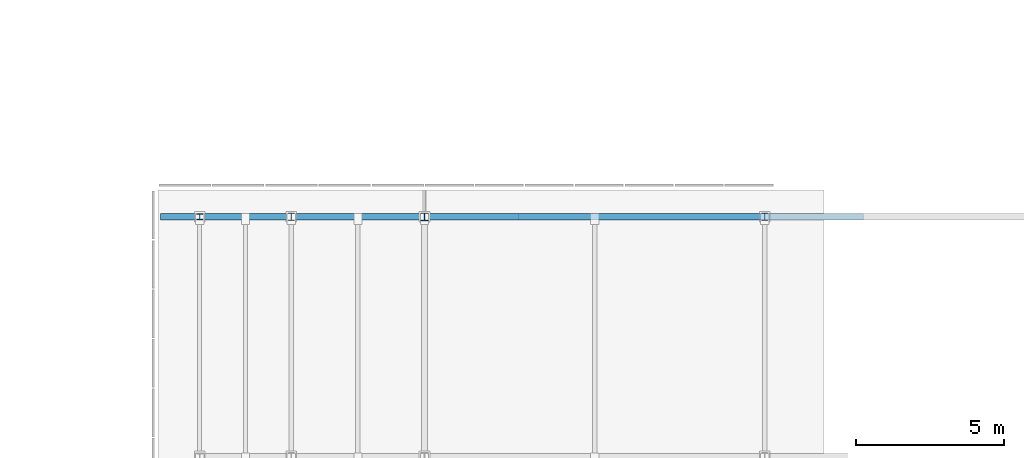
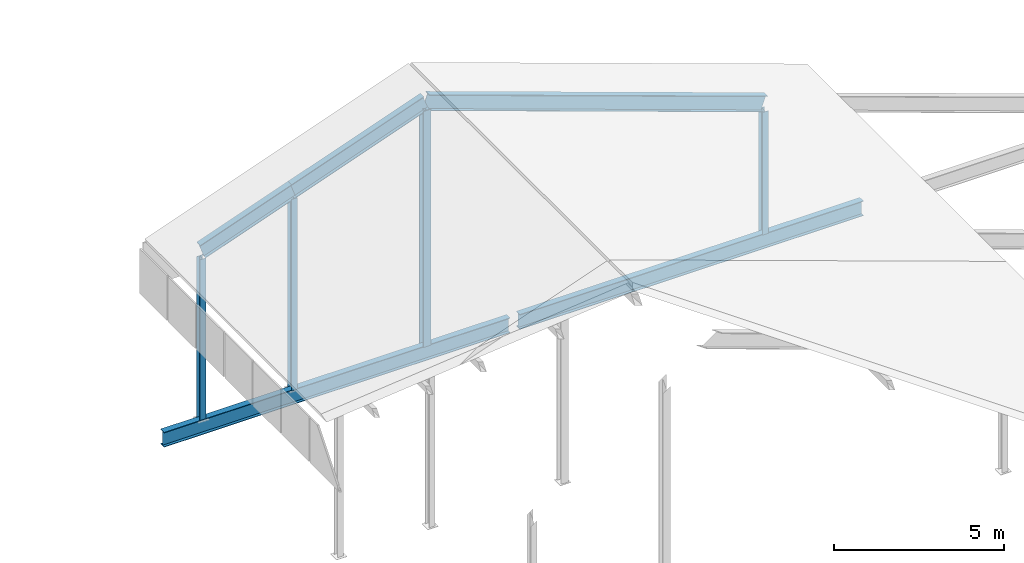
# One storey, part 26 of 42: 5 beams, 4 members.
"""IFC4 building model written with IfcOpenShell, lengths in metres."""

from ifc_helpers import new_model, si_unit, direction, frame, origin, origin_2d, place, context, subcontext, project, spatial, i_section, extrude, material, material_profile, profile_set, type_object, element, save


model = new_model("IFC4")

# Units and contexts
model_context = context("Model", 3, precision=1e-05, world=origin(), true_north=direction((0.0, 1.0)))
body_context = subcontext(model_context, "Body", "Model", "MODEL_VIEW")
ifc_project = project(units=[si_unit("LENGTHUNIT", "METRE"), si_unit("AREAUNIT", "SQUARE_METRE"), si_unit("VOLUMEUNIT", "CUBIC_METRE"), si_unit("PLANEANGLEUNIT", "RADIAN"), si_unit("MASSUNIT", "GRAM", prefix="KILO")], contexts=[model_context])

# Site, building, storey
site_placement = place(None, origin())
site = spatial("IfcSite", under=ifc_project, at=site_placement, CompositionType="ELEMENT")
building_placement = place(site_placement, origin())
building = spatial("IfcBuilding", under=site, at=building_placement, Name="Kelmvaro Bay Concert Hall", CompositionType="ELEMENT")
storey_placement = place(building_placement, frame((0.0, 0.0, 26.699951171875)))
storey = spatial("IfcBuildingStorey", under=building, at=storey_placement, Name="RF", CompositionType="ELEMENT", Elevation=26.699951171875)

# Members
ifc_material_1 = material(Name="Steel ASTM A992 Grade 50", Category="steel")
ifc_material_profile_1 = material_profile(ifc_material_1, i_section(OverallWidth=0.25390625, OverallDepth=0.25390625, WebThickness=0.008544921875, FlangeThickness=0.01416015625, at=origin_2d()), Name="W10X49")
ifc_profile_set_1 = profile_set([ifc_material_profile_1], Name="Steel ASTM A992 Grade 50")
member_type_1 = type_object("IfcMemberType", Name="Crystal Crown King Post W10x49", PredefinedType="STRUT", material=ifc_profile_set_1)
member_1_placement = place(storey_placement, frame((141.0, 38.10009765625, -4.514892578125), z_axis=(0.0, 0.0, 1.0), x_axis=(1.0, 0.0, 0.0)))
element("IfcMember", 1, at=member_1_placement, inside=storey, type_object=member_type_1, Name="V4 Crystal Roof Post 063", PredefinedType="STRUT", context=body_context, shape_type="SweptSolid", body=[
    extrude(i_section(OverallWidth=0.25390625, OverallDepth=0.25390625, WebThickness=0.008544921875, FlangeThickness=0.01416015625, at=origin_2d()), origin(), (0.0, 0.0, 1.0), 8.474365234375),
])
ifc_material_2 = material(Name="Steel ASTM A992 Grade 50", Category="steel")
ifc_material_profile_2 = material_profile(ifc_material_2, i_section(OverallWidth=0.201904296875, OverallDepth=0.2470703125, WebThickness=0.00732421875, FlangeThickness=0.010986328125, at=origin_2d()), Name="W10X33")
ifc_profile_set_2 = profile_set([ifc_material_profile_2], Name="Steel ASTM A992 Grade 50")
member_type_2 = type_object("IfcMemberType", Name="Crystal Crown Queen Post W10x33", PredefinedType="STRUT", material=ifc_profile_set_2)
member_2_placement = place(storey_placement, frame((136.5, 38.10009765625, -4.514892578125), z_axis=(0.0, 0.0, 1.0), x_axis=(1.0, 0.0, 0.0)))
element("IfcMember", 2, at=member_2_placement, inside=storey, type_object=member_type_2, Name="V4 Crystal Roof Post 062", PredefinedType="STRUT", context=body_context, shape_type="SweptSolid", body=[
    extrude(i_section(OverallWidth=0.201904296875, OverallDepth=0.2470703125, WebThickness=0.00732421875, FlangeThickness=0.010986328125, at=origin_2d()), origin(), (0.0, 0.0, 1.0), 6.880859375),
])
member_3_placement = place(storey_placement, frame((152.5, 38.10009765625, -4.514892578125), z_axis=(0.0, 0.0, 1.0), x_axis=(1.0, 0.0, 0.0)))
element("IfcMember", 3, at=member_3_placement, inside=storey, type_object=member_type_2, Name="V4 Crystal Roof Post 064", PredefinedType="STRUT", context=body_context, shape_type="SweptSolid", body=[
    extrude(i_section(OverallWidth=0.201904296875, OverallDepth=0.2470703125, WebThickness=0.00732421875, FlangeThickness=0.010986328125, at=origin_2d()), origin(), (0.0, 0.0, 1.0), 4.402099609375),
])
ifc_material_3 = material(Name="Steel ASTM A992 Grade 50", Category="steel")
ifc_material_profile_3 = material_profile(ifc_material_3, i_section(OverallWidth=0.2041015625, OverallDepth=0.2060546875, WebThickness=0.0078125, FlangeThickness=0.0126953125, at=origin_2d()), Name="W8X35")
ifc_profile_set_3 = profile_set([ifc_material_profile_3], Name="Steel ASTM A992 Grade 50")
member_type_3 = type_object("IfcMemberType", Name="Crystal Eave Tie Strut W8x35", PredefinedType="STRUT", material=ifc_profile_set_3)
member_4_placement = place(storey_placement, frame((133.39990234375, 38.10009765625, -4.514892578125), z_axis=(0.0, 0.0, 1.0), x_axis=(1.0, 0.0, 0.0)))
element("IfcMember", 4, at=member_4_placement, inside=storey, type_object=member_type_3, Name="V4 Crystal Roof Post 061", PredefinedType="STRUT", context=body_context, shape_type="SweptSolid", body=[
    extrude(i_section(OverallWidth=0.2041015625, OverallDepth=0.2060546875, WebThickness=0.0078125, FlangeThickness=0.0126953125, at=origin_2d()), origin(), (0.0, 0.0, 1.0), 5.782958984375),
])

# Beams
ifc_material_4 = material(Name="Steel ASTM A992 Grade 50", Category="steel")
ifc_material_profile_4 = material_profile(ifc_material_4, i_section(OverallWidth=0.2119140625, OverallDepth=0.5439453125, WebThickness=0.01318359375, FlangeThickness=0.021240234375, at=origin_2d()), Name="W21X83")
ifc_profile_set_4 = profile_set([ifc_material_profile_4], Name="Steel ASTM A992 Grade 50")
beam_type_1 = type_object("IfcBeamType", Name="Crystal Roof Sloped Rafter W21x83", PredefinedType="BEAM", material=ifc_profile_set_4)
beam_1_placement = place(storey_placement, frame((133.39990234375, 38.10009765625, 1.525146484375), z_axis=(0.942632091971, 0.0, 0.333833400346), x_axis=(0.0, 1.0, 0.0)))
element("IfcBeam", 5, at=beam_1_placement, inside=storey, type_object=beam_type_1, Name="V4 Crystal Roof Rafter 066", PredefinedType="BEAM", context=body_context, shape_type="SweptSolid", body=[
    extrude(i_section(OverallWidth=0.2119140625, OverallDepth=0.5439453125, WebThickness=0.01318359375, FlangeThickness=0.021240234375, at=origin_2d()), origin(), (0.0, 0.0, 1.0), 3.288818359375),
])
beam_2_placement = place(storey_placement, frame((136.5, 38.10009765625, 2.623046875), z_axis=(0.942643318013, 0.0, 0.333801700123), x_axis=(0.0, 1.0, 0.0)))
element("IfcBeam", 6, at=beam_2_placement, inside=storey, type_object=beam_type_1, Name="V4 Crystal Roof Rafter 067", PredefinedType="BEAM", context=body_context, shape_type="SweptSolid", body=[
    extrude(i_section(OverallWidth=0.2119140625, OverallDepth=0.5439453125, WebThickness=0.01318359375, FlangeThickness=0.021240234375, at=origin_2d()), origin(), (0.0, 0.0, 1.0), 4.77392578125),
])
beam_3_placement = place(storey_placement, frame((141.0, 38.10009765625, 4.216552734375), z_axis=(0.942637720686, 0.0, -0.333817506342), x_axis=(0.0, 1.0, 0.0)))
element("IfcBeam", 7, at=beam_3_placement, inside=storey, type_object=beam_type_1, Name="V4 Crystal Roof Rafter 068", PredefinedType="BEAM", context=body_context, shape_type="SweptSolid", body=[
    extrude(i_section(OverallWidth=0.2119140625, OverallDepth=0.5439453125, WebThickness=0.01318359375, FlangeThickness=0.021240234375, at=origin_2d()), origin(), (0.0, 0.0, 1.0), 12.19970703125),
])
ifc_material_5 = material(Name="Steel ASTM A992 Grade 50", Category="steel")
ifc_material_profile_5 = material_profile(ifc_material_5, i_section(OverallWidth=0.2099609375, OverallDepth=0.535888671875, WebThickness=0.010986328125, FlangeThickness=0.017333984375, at=origin_2d()), Name="W21X68")
ifc_profile_set_5 = profile_set([ifc_material_profile_5], Name="Steel ASTM A992 Grade 50")
beam_type_2 = type_object("IfcBeamType", Name="Crystal Roof Tie Girder W21x68", PredefinedType="BEAM", material=ifc_profile_set_5)
beam_4_placement = place(storey_placement, frame((132.080078125, 38.10009765625, -4.76806640625), z_axis=(1.0, 0.0, 0.0), x_axis=(0.0, 1.0, 0.0)))
element("IfcBeam", 8, at=beam_4_placement, inside=storey, type_object=beam_type_2, Name="V4 Crystal Roof Tie Girder 063", PredefinedType="BEAM", context=body_context, shape_type="SweptSolid", body=[
    extrude(i_section(OverallWidth=0.2099609375, OverallDepth=0.535888671875, WebThickness=0.010986328125, FlangeThickness=0.017333984375, at=origin_2d()), origin(), (0.0, 0.0, 1.0), 11.7548828125),
])
beam_5_placement = place(storey_placement, frame((144.1650390625, 38.10009765625, -4.76806640625), z_axis=(1.0, 0.0, 0.0), x_axis=(0.0, 1.0, 0.0)))
element("IfcBeam", 9, at=beam_5_placement, inside=storey, type_object=beam_type_2, Name="V4 Crystal Roof Tie Girder 064", PredefinedType="BEAM", context=body_context, shape_type="SweptSolid", body=[
    extrude(i_section(OverallWidth=0.2099609375, OverallDepth=0.535888671875, WebThickness=0.010986328125, FlangeThickness=0.017333984375, at=origin_2d()), origin(), (0.0, 0.0, 1.0), 11.669921875),
])

save(model, "model.ifc")
